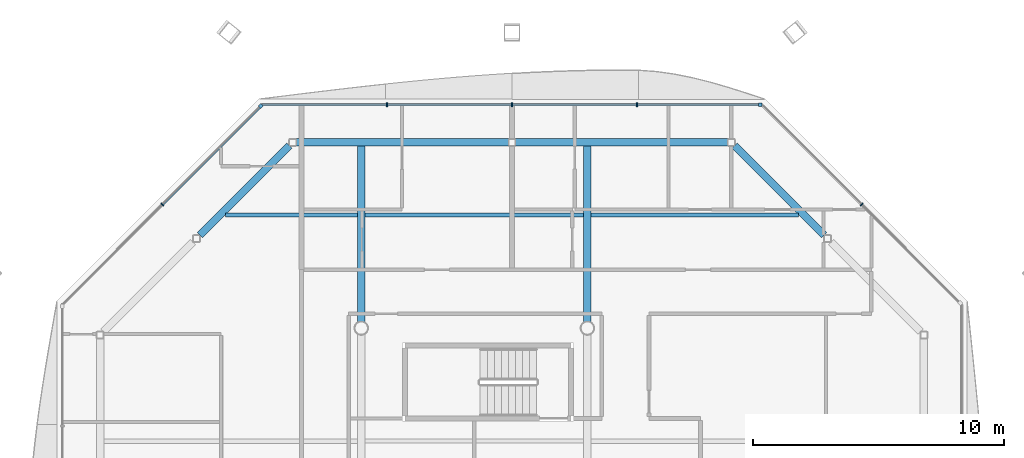
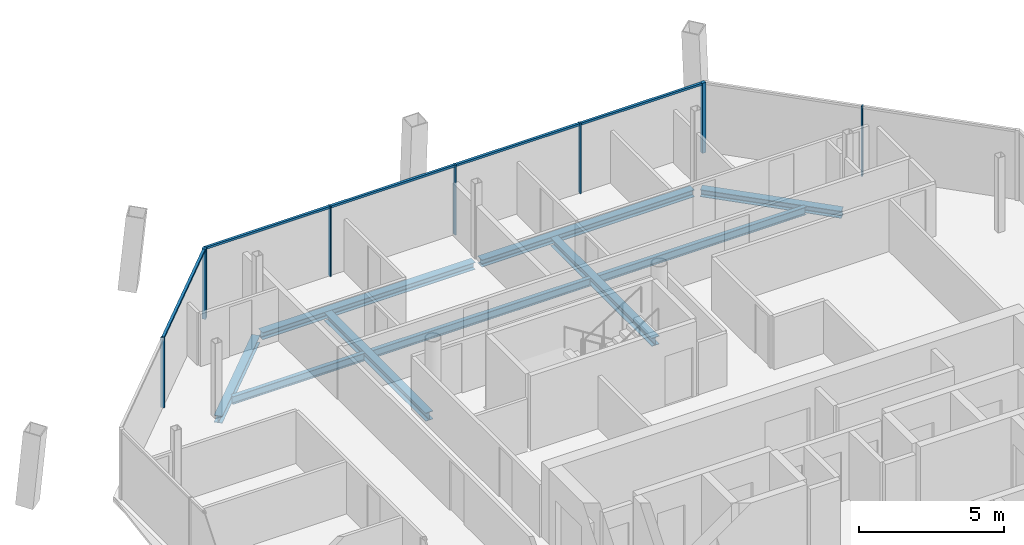
# One storey, part 8 of 15: 12 members, 9 beams, 3 elements without a shape of their own.
"""IFC4 building model written with IfcOpenShell, lengths in metres."""

from ifc_helpers import new_model, si_unit, direction, frame, origin, origin_2d, place, context, subcontext, project, spatial, rectangle, i_section, extrude, material, material_profile, profile_set, type_object, element, aggregate, save


model = new_model("IFC4")

# Units and contexts
model_context = context("Model", 3, precision=1e-05, world=origin(), true_north=direction((0.0, 1.0)))
body_context = subcontext(model_context, "Body", "Model", "MODEL_VIEW")
ifc_project = project(units=[si_unit("LENGTHUNIT", "METRE"), si_unit("AREAUNIT", "SQUARE_METRE"), si_unit("VOLUMEUNIT", "CUBIC_METRE"), si_unit("PLANEANGLEUNIT", "RADIAN"), si_unit("MASSUNIT", "GRAM", prefix="KILO")], contexts=[model_context])

# Site, building, storey
site_placement = place(None, origin())
site = spatial("IfcSite", under=ifc_project, at=site_placement, CompositionType="ELEMENT")
building_placement = place(site_placement, origin())
building = spatial("IfcBuilding", under=site, at=building_placement, Name="Tskaro Facet Tower", CompositionType="ELEMENT")
storey_placement = place(building_placement, frame((0.0, 0.0, 239.25)))
storey = spatial("IfcBuildingStorey", under=building, at=storey_placement, Name="L62", CompositionType="ELEMENT", Elevation=239.25)

# Curtain wall, member
ifc_material_1 = material(Name="Bronze anodised aluminium 6063-T6", Category="aluminium")
curtain_wall_type = type_object("IfcCurtainWallType", Name="Bronze residence curtain wall (FW3)", PredefinedType="NOTDEFINED", material=ifc_material_1)
curtain_wall_1_placement = place(storey_placement, origin())
curtain_wall_1 = element("IfcCurtainWall", 1, at=curtain_wall_1_placement, inside=storey, type_object=curtain_wall_type, Name="FW3 north facet L62", PredefinedType="NOTDEFINED")
ifc_material_profile_1 = material_profile(ifc_material_1, rectangle(XDim=0.139892578125, YDim=0.139892578125, at=origin_2d()), Name="Corner post 140x140")
ifc_profile_set_1 = profile_set([ifc_material_profile_1], Name="Bronze anodised aluminium 6063-T6")
member_type_1 = type_object("IfcMemberType", Name="FW3 bronze corner post 140x140", PredefinedType="MULLION", material=ifc_profile_set_1)
member_1_placement = place(storey_placement, frame((6.8779296875, 17.888916015625, 0.0), z_axis=(0.0, 0.0, 1.0), x_axis=(-1.0, 0.0, 0.0)))
member_1 = element("IfcMember", 2, at=member_1_placement, type_object=member_type_1, Name="FW3 north corner post", PredefinedType="MULLION", context=body_context, shape_type="SweptSolid", body=[
    extrude(rectangle(XDim=0.139892578125, YDim=0.139892578125, at=origin_2d()), origin(), (0.0, 0.0, 1.0), 2.949951171875),
])

curtain_wall_2_placement = place(storey_placement, origin())
curtain_wall_2 = element("IfcCurtainWall", 3, at=curtain_wall_2_placement, inside=storey, type_object=curtain_wall_type, Name="FW3 north-west facet L62", PredefinedType="NOTDEFINED")
member_2_placement = place(storey_placement, frame((-12.99755859375, 17.839599609375, 0.0), z_axis=(0.0, 0.0, 1.0), x_axis=(-0.707106781187, -0.707106781187, 0.0)))
member_2 = element("IfcMember", 4, at=member_2_placement, type_object=member_type_1, Name="FW3 north-west corner post", PredefinedType="MULLION", context=body_context, shape_type="SweptSolid", body=[
    extrude(rectangle(XDim=0.139892578125, YDim=0.139892578125, at=origin_2d()), origin(), (0.0, 0.0, 1.0), 2.949951171875),
])

curtain_wall_3_placement = place(storey_placement, origin())
curtain_wall_3 = element("IfcCurtainWall", 5, at=curtain_wall_3_placement, inside=storey, type_object=curtain_wall_type, Name="FW3 north-east facet L62", PredefinedType="NOTDEFINED")
ifc_material_profile_2 = material_profile(ifc_material_1, rectangle(XDim=0.050048828125, YDim=0.139892578125, at=origin_2d()), Name="Mullion 50x140")
ifc_profile_set_2 = profile_set([ifc_material_profile_2], Name="Bronze anodised aluminium 6063-T6")
member_type_2 = type_object("IfcMemberType", Name="FW3 bronze mullion 50x140", PredefinedType="MULLION", material=ifc_profile_set_2)
member_3_placement = place(storey_placement, frame((10.91845703125, 13.91845703125, 0.0), z_axis=(0.0, 0.0, 1.0), x_axis=(-0.707106781187, 0.707106781187, 0.0)))
member_3 = element("IfcMember", 6, at=member_3_placement, type_object=member_type_2, Name="FW3 north-east mullion 1", PredefinedType="MULLION", context=body_context, shape_type="SweptSolid", body=[
    extrude(rectangle(XDim=0.050048828125, YDim=0.139892578125, at=origin_2d()), origin(), (0.0, 0.0, 1.0), 2.949951171875),
])
aggregate(curtain_wall_3, [member_3])

# Member
member_4_placement = place(storey_placement, frame((1.97412109375, 17.888916015625, 0.0), z_axis=(0.0, 0.0, 1.0), x_axis=(-1.0, 0.0, 0.0)))
member_4 = element("IfcMember", 7, at=member_4_placement, type_object=member_type_2, Name="FW3 north mullion 1", PredefinedType="MULLION", context=body_context, shape_type="SweptSolid", body=[
    extrude(rectangle(XDim=0.050048828125, YDim=0.139892578125, at=origin_2d()), origin(), (0.0, 0.0, 1.0), 2.949951171875),
])

member_5_placement = place(storey_placement, frame((-3.0, 17.888916015625, 0.0), z_axis=(0.0, 0.0, 1.0), x_axis=(-1.0, 0.0, 0.0)))
member_5 = element("IfcMember", 8, at=member_5_placement, type_object=member_type_2, Name="FW3 north mullion 2", PredefinedType="MULLION", context=body_context, shape_type="SweptSolid", body=[
    extrude(rectangle(XDim=0.050048828125, YDim=0.139892578125, at=origin_2d()), origin(), (0.0, 0.0, 1.0), 2.949951171875),
])

member_6_placement = place(storey_placement, frame((-7.97412109375, 17.888916015625, 0.0), z_axis=(0.0, 0.0, 1.0), x_axis=(-1.0, 0.0, 0.0)))
member_6 = element("IfcMember", 9, at=member_6_placement, type_object=member_type_2, Name="FW3 north mullion 3", PredefinedType="MULLION", context=body_context, shape_type="SweptSolid", body=[
    extrude(rectangle(XDim=0.050048828125, YDim=0.139892578125, at=origin_2d()), origin(), (0.0, 0.0, 1.0), 2.949951171875),
])

member_7_placement = place(storey_placement, frame((-16.91845703125, 13.91845703125, 0.0), z_axis=(0.0, 0.0, 1.0), x_axis=(-0.707106781187, -0.707106781187, 0.0)))
member_7 = element("IfcMember", 10, at=member_7_placement, type_object=member_type_2, Name="FW3 north-west mullion 1", PredefinedType="MULLION", context=body_context, shape_type="SweptSolid", body=[
    extrude(rectangle(XDim=0.050048828125, YDim=0.139892578125, at=origin_2d()), origin(), (0.0, 0.0, 1.0), 2.949951171875),
])

ifc_material_profile_3 = material_profile(ifc_material_1, rectangle(XDim=0.10009765625, YDim=0.090087890625, at=origin_2d()), Name="Transom 100x90")
ifc_profile_set_3 = profile_set([ifc_material_profile_3], Name="Bronze anodised aluminium 6063-T6")
member_type_3 = type_object("IfcMemberType", Name="FW3 bronze transom 100x90", PredefinedType="USERDEFINED", material=ifc_profile_set_3)
member_8_placement = place(storey_placement, frame((6.80810546875, 17.888916015625, 2.905029296875), z_axis=(-1.0, 0.0, 0.0), x_axis=(0.0, -1.0, 0.0)))
member_8 = element("IfcMember", 11, at=member_8_placement, type_object=member_type_3, Name="FW3 north transom 1.1", ObjectType="TRANSOM", PredefinedType="USERDEFINED", context=body_context, shape_type="SweptSolid", body=[
    extrude(rectangle(XDim=0.10009765625, YDim=0.090087890625, at=origin_2d()), origin(), (0.0, 0.0, 1.0), 4.80908203125),
])

member_9_placement = place(storey_placement, frame((1.948974609375, 17.888916015625, 2.905029296875), z_axis=(-1.0, 0.0, 0.0), x_axis=(0.0, -1.0, 0.0)))
member_9 = element("IfcMember", 12, at=member_9_placement, type_object=member_type_3, Name="FW3 north transom 2.1", ObjectType="TRANSOM", PredefinedType="USERDEFINED", context=body_context, shape_type="SweptSolid", body=[
    extrude(rectangle(XDim=0.10009765625, YDim=0.090087890625, at=origin_2d()), origin(), (0.0, 0.0, 1.0), 4.924072265625),
])

member_10_placement = place(storey_placement, frame((-3.02490234375, 17.888916015625, 2.905029296875), z_axis=(-1.0, 0.0, 0.0), x_axis=(0.0, -1.0, 0.0)))
member_10 = element("IfcMember", 13, at=member_10_placement, type_object=member_type_3, Name="FW3 north transom 3.1", ObjectType="TRANSOM", PredefinedType="USERDEFINED", context=body_context, shape_type="SweptSolid", body=[
    extrude(rectangle(XDim=0.10009765625, YDim=0.090087890625, at=origin_2d()), origin(), (0.0, 0.0, 1.0), 4.924072265625),
])

member_11_placement = place(storey_placement, frame((-7.9990234375, 17.888916015625, 2.905029296875), z_axis=(-1.0, 0.0, 0.0), x_axis=(0.0, -1.0, 0.0)))
member_11 = element("IfcMember", 14, at=member_11_placement, type_object=member_type_3, Name="FW3 north transom 4.1", ObjectType="TRANSOM", PredefinedType="USERDEFINED", context=body_context, shape_type="SweptSolid", body=[
    extrude(rectangle(XDim=0.10009765625, YDim=0.090087890625, at=origin_2d()), origin(), (0.0, 0.0, 1.0), 4.948974609375),
])

aggregate(curtain_wall_1, [member_1, member_4, member_5, member_6, member_8, member_9, member_10, member_11])

member_12_placement = place(storey_placement, frame((-13.046875, 17.7900390625, 2.905029296875), z_axis=(-0.707129178183, -0.70708438348, 0.0), x_axis=(0.70708438348, -0.707129178183, 0.0)))
member_12 = element("IfcMember", 15, at=member_12_placement, type_object=member_type_3, Name="FW3 north-west transom 1.1", ObjectType="TRANSOM", PredefinedType="USERDEFINED", context=body_context, shape_type="SweptSolid", body=[
    extrude(rectangle(XDim=0.10009765625, YDim=0.090087890625, at=origin_2d()), origin(), (0.0, 0.0, 1.0), 5.4501953125),
])

aggregate(curtain_wall_2, [member_2, member_7, member_12])

# Beams
ifc_material_2 = material(Name="Steel S355J2", Category="steel")
ifc_material_profile_4 = material_profile(ifc_material_2, i_section(OverallWidth=0.300048828125, OverallDepth=0.300048828125, WebThickness=0.010986328125, FlangeThickness=0.01904296875, FilletRadius=0.027099609375, at=origin_2d()), Name="HE 300 B")
ifc_profile_set_4 = profile_set([ifc_material_profile_4], Name="Steel S355J2")
beam_type_1 = type_object("IfcBeamType", Name="HE 300 B ring beam", PredefinedType="BEAM", material=ifc_profile_set_4)
beam_1_placement = place(storey_placement, frame((9.422119140625, 12.69384765625, -0.2900390625), z_axis=(-0.707106781187, 0.707106781187, 0.0), x_axis=(-0.707106781187, -0.707106781187, 0.0)))
element("IfcBeam", 16, at=beam_1_placement, inside=storey, type_object=beam_type_1, Name="HE 300 B EB9-5", PredefinedType="BEAM", context=body_context, shape_type="SweptSolid", body=[
    extrude(i_section(OverallWidth=0.300048828125, OverallDepth=0.300048828125, WebThickness=0.010986328125, FlangeThickness=0.01904296875, FilletRadius=0.027099609375, at=origin_2d()), origin(), (0.0, 0.0, 1.0), 5.036376953125),
])
for number, where, z_axis, x_axis, name in (
    (17, (5.594970703125, 16.39111328125, -0.2900390625), (-1.0, 0.0, 0.0), (0.0, -1.0, 0.0), "HE 300 B EB10-5"),
    (18, (-3.1298828125, 16.39111328125, -0.2900390625), (-1.0, 0.0, 0.0), (0.0, -1.0, 0.0), "HE 300 B EB11-5"),
):
    element("IfcBeam", number, at=place(storey_placement, frame(where, z_axis=z_axis, x_axis=x_axis)), inside=storey, type_object=beam_type_1, Name=name, PredefinedType="BEAM", context=body_context, shape_type="SweptSolid", body=[
        extrude(i_section(OverallWidth=0.300048828125, OverallDepth=0.300048828125, WebThickness=0.010986328125, FlangeThickness=0.01904296875, FilletRadius=0.027099609375, at=origin_2d()), origin(), (0.0, 0.0, 1.0), 8.465087890625),
    ])
beam_2_placement = place(storey_placement, frame((-11.86083984375, 16.255126953125, -0.2900390625), z_axis=(-0.707106781187, -0.707106781187, 0.0), x_axis=(0.707106781187, -0.707106781187, 0.0)))
element("IfcBeam", 19, at=beam_2_placement, inside=storey, type_object=beam_type_1, Name="HE 300 B EB12-5", PredefinedType="BEAM", context=body_context, shape_type="SweptSolid", body=[
    extrude(i_section(OverallWidth=0.300048828125, OverallDepth=0.300048828125, WebThickness=0.010986328125, FlangeThickness=0.01904296875, FilletRadius=0.027099609375, at=origin_2d()), origin(), (0.0, 0.0, 1.0), 5.036376953125),
])
ifc_material_profile_5 = material_profile(ifc_material_2, i_section(OverallWidth=0.300048828125, OverallDepth=0.35009765625, WebThickness=0.010009765625, FlangeThickness=0.017578125, FilletRadius=0.027099609375, at=origin_2d()), Name="HE 360 A")
ifc_profile_set_5 = profile_set([ifc_material_profile_5], Name="Steel S355J2")
beam_type_2 = type_object("IfcBeamType", Name="HE 360 A girder", PredefinedType="BEAM", material=ifc_profile_set_5)
for number, where, z_axis, x_axis, name in (
    (20, (-9.0, 9.24951171875, -0.31494140625), (0.0, 1.0, 0.0), (-1.0, 0.0, 0.0), "HE 360 A GB3-3-5"),
    (21, (0.0, 9.24951171875, -0.31494140625), (0.0, 1.0, 0.0), (-1.0, 0.0, 0.0), "HE 360 A GB4-3-5"),
):
    element("IfcBeam", number, at=place(storey_placement, frame(where, z_axis=z_axis, x_axis=x_axis)), inside=storey, type_object=beam_type_2, Name=name, PredefinedType="BEAM", context=body_context, shape_type="SweptSolid", body=[
        extrude(i_section(OverallWidth=0.300048828125, OverallDepth=0.35009765625, WebThickness=0.010009765625, FlangeThickness=0.017578125, FilletRadius=0.027099609375, at=origin_2d()), origin(), (0.0, 0.0, 1.0), 6.991455078125),
    ])
ifc_material_profile_6 = material_profile(ifc_material_2, i_section(OverallWidth=0.159912109375, OverallDepth=0.330078125, WebThickness=0.007568359375, FlangeThickness=0.011474609375, FilletRadius=0.01806640625, at=origin_2d()), Name="IPE 330")
ifc_profile_set_6 = profile_set([ifc_material_profile_6], Name="Steel S355J2")
beam_type_3 = type_object("IfcBeamType", Name="IPE 330 secondary beam", PredefinedType="BEAM", material=ifc_profile_set_6)
beam_3_placement = place(storey_placement, frame((-14.404052734375, 13.5, -0.304931640625), z_axis=(1.0, 0.0, 0.0), x_axis=(0.0, 1.0, 0.0)))
element("IfcBeam", 22, at=beam_3_placement, inside=storey, type_object=beam_type_3, Name="IPE 330 SB5a-1-5", PredefinedType="BEAM", context=body_context, shape_type="SweptSolid", body=[
    extrude(i_section(OverallWidth=0.159912109375, OverallDepth=0.330078125, WebThickness=0.007568359375, FlangeThickness=0.011474609375, FilletRadius=0.01806640625, at=origin_2d()), origin(), (0.0, 0.0, 1.0), 5.254150390625),
])
beam_4_placement = place(storey_placement, frame((-8.85009765625, 13.5, -0.304931640625), z_axis=(1.0, 0.0, 0.0), x_axis=(0.0, 1.0, 0.0)))
element("IfcBeam", 23, at=beam_4_placement, inside=storey, type_object=beam_type_3, Name="IPE 330 SB5a-2-5", PredefinedType="BEAM", context=body_context, shape_type="SweptSolid", body=[
    extrude(i_section(OverallWidth=0.159912109375, OverallDepth=0.330078125, WebThickness=0.007568359375, FlangeThickness=0.011474609375, FilletRadius=0.01806640625, at=origin_2d()), origin(), (0.0, 0.0, 1.0), 8.7001953125),
])
beam_5_placement = place(storey_placement, frame((0.14990234375, 13.5, -0.304931640625), z_axis=(1.0, 0.0, 0.0), x_axis=(0.0, 1.0, 0.0)))
element("IfcBeam", 24, at=beam_5_placement, inside=storey, type_object=beam_type_3, Name="IPE 330 SB5a-3-5", PredefinedType="BEAM", context=body_context, shape_type="SweptSolid", body=[
    extrude(i_section(OverallWidth=0.159912109375, OverallDepth=0.330078125, WebThickness=0.007568359375, FlangeThickness=0.011474609375, FilletRadius=0.01806640625, at=origin_2d()), origin(), (0.0, 0.0, 1.0), 8.254150390625),
])

save(model, "model.ifc")
